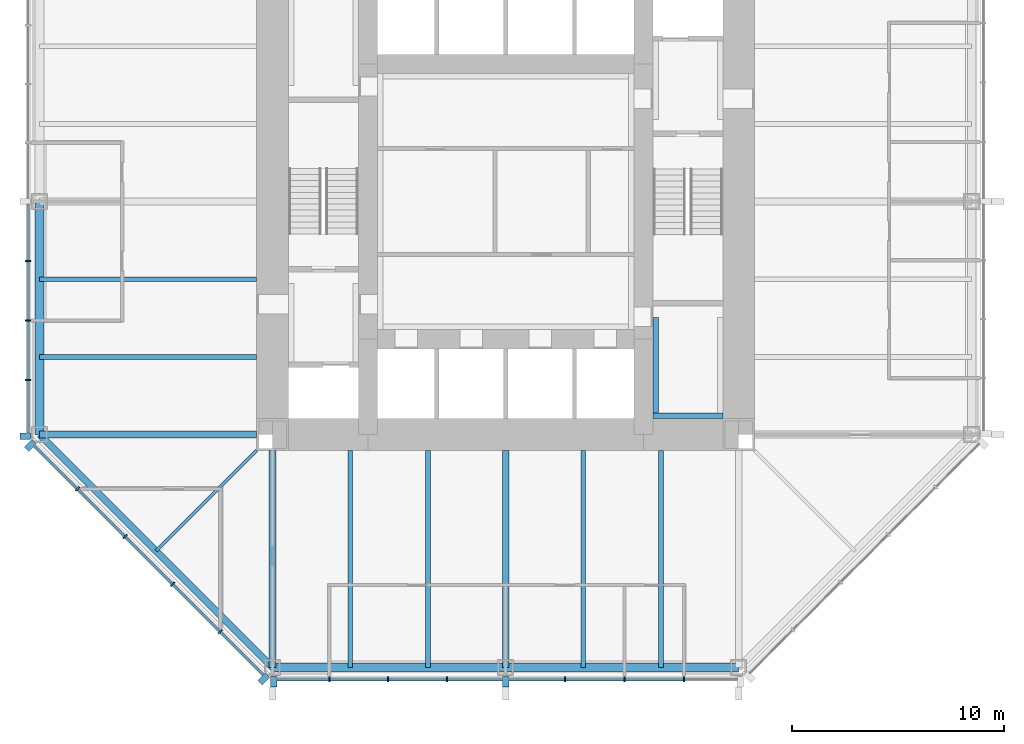
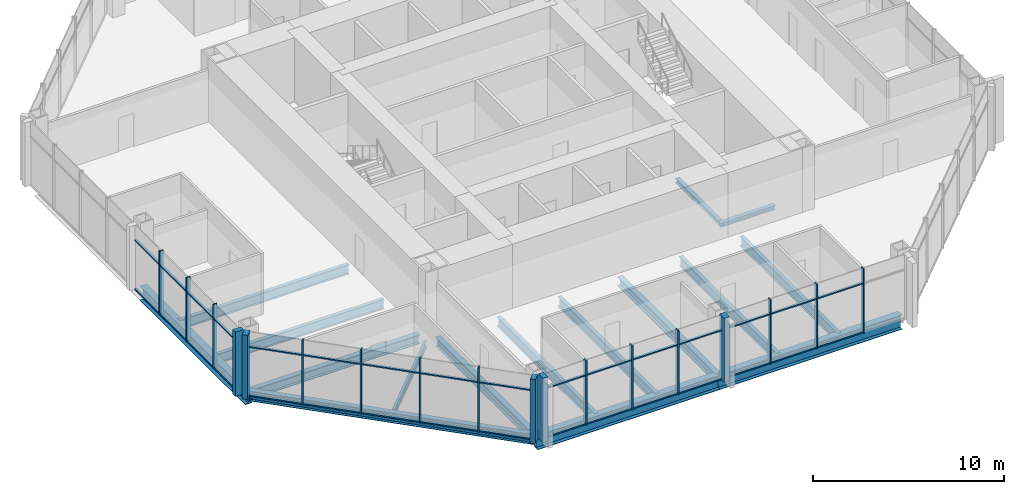
# One storey, part 2 of 12: 50 members, 16 beams, 3 elements without a shape of their own.
"""IFC4 building model written with IfcOpenShell, lengths in metres."""

from ifc_helpers import new_model, si_unit, direction, frame, origin, origin_2d, place, context, subcontext, project, spatial, rectangle, i_section, extrude, material, material_profile, profile_set, type_object, element, aggregate, save


model = new_model("IFC4")

# Units and contexts
model_context = context("Model", 3, precision=1e-05, world=origin(), true_north=direction((0.0, 1.0)))
body_context = subcontext(model_context, "Body", "Model", "MODEL_VIEW")
ifc_project = project(units=[si_unit("LENGTHUNIT", "METRE"), si_unit("AREAUNIT", "SQUARE_METRE"), si_unit("VOLUMEUNIT", "CUBIC_METRE"), si_unit("PLANEANGLEUNIT", "RADIAN"), si_unit("MASSUNIT", "GRAM", prefix="KILO")], contexts=[model_context])

# Site, building, storey
site_placement = place(None, origin())
site = spatial("IfcSite", under=ifc_project, at=site_placement, CompositionType="ELEMENT")
building_placement = place(site_placement, origin())
building = spatial("IfcBuilding", under=site, at=building_placement, Name="Trevanion Tower", CompositionType="ELEMENT")
storey_placement = place(building_placement, frame((0.0, 0.0, 150.0)))
storey = spatial("IfcBuildingStorey", under=building, at=storey_placement, Name="L35", CompositionType="ELEMENT", Elevation=150.0)

# Beams
ifc_material_1 = material(Name="Steel ASTM A992 Grade 50", Category="steel")
ifc_material_profile_1 = material_profile(ifc_material_1, i_section(OverallWidth=0.22900390625, OverallDepth=0.612060546875, WebThickness=0.011962890625, FlangeThickness=0.01953125, at=origin_2d()), Name="W24X84")
ifc_profile_set_1 = profile_set([ifc_material_profile_1], Name="Steel ASTM A992 Grade 50")
beam_type_1 = type_object("IfcBeamType", Name="B7 W24X84", PredefinedType="BEAM", material=ifc_profile_set_1)
for number, where, z_axis, x_axis, name in (
    (1, (-11.75, -3.666748046875, -0.49609375), (-1.0, 0.0, 0.0), (0.0, -1.0, 0.0), "B7 L35"),
    (2, (-11.75, -7.333251953125, -0.49609375), (-1.0, 0.0, 0.0), (0.0, -1.0, 0.0), "B7 L35"),
    (3, (-7.333251953125, -11.75, -0.49609375), (0.0, -1.0, 0.0), (1.0, 0.0, 0.0), "B7 L35"),
    (4, (-3.666748046875, -11.75, -0.49609375), (0.0, -1.0, 0.0), (1.0, 0.0, 0.0), "B7 L35"),
    (5, (3.666748046875, -11.75, -0.49609375), (0.0, -1.0, 0.0), (1.0, 0.0, 0.0), "B7 L35"),
    (6, (7.333251953125, -11.75, -0.49609375), (0.0, -1.0, 0.0), (1.0, 0.0, 0.0), "B7 L35"),
):
    element("IfcBeam", number, at=place(storey_placement, frame(where, z_axis=z_axis, x_axis=x_axis)), inside=storey, type_object=beam_type_1, Name=name, PredefinedType="BEAM", context=body_context, shape_type="SweptSolid", body=[
        extrude(i_section(OverallWidth=0.22900390625, OverallDepth=0.612060546875, WebThickness=0.011962890625, FlangeThickness=0.01953125, at=origin_2d()), origin(), (0.0, 0.0, 1.0), 10.25),
    ])
ifc_material_2 = material(Name="Steel ASTM A992 Grade 50", Category="steel")
ifc_material_profile_2 = material_profile(ifc_material_2, i_section(OverallWidth=0.15234375, OverallDepth=0.449462890625, WebThickness=0.007568359375, FlangeThickness=0.0107421875, at=origin_2d()), Name="W18X35")
ifc_profile_set_2 = profile_set([ifc_material_profile_2], Name="Steel ASTM A992 Grade 50")
beam_type_2 = type_object("IfcBeamType", Name="B8 W18X35", PredefinedType="BEAM", material=ifc_profile_set_2)
beam_1_placement = place(storey_placement, frame((-11.75, -11.75, -0.414794921875), z_axis=(-0.707106781187, -0.707106781187, 0.0), x_axis=(0.707106781187, -0.707106781187, 0.0)))
element("IfcBeam", 7, at=beam_1_placement, inside=storey, type_object=beam_type_2, Name="B8 L35", PredefinedType="BEAM", context=body_context, shape_type="SweptSolid", body=[
    extrude(i_section(OverallWidth=0.15234375, OverallDepth=0.449462890625, WebThickness=0.007568359375, FlangeThickness=0.0107421875, at=origin_2d()), origin(), (0.0, 0.0, 1.0), 6.717529296875),
])

# Curtain wall, members
ifc_material_3 = material(Name="Aluminium and glass", Category="aluminium")
curtain_wall_type = type_object("IfcCurtainWallType", Name="CW2 curtain wall", PredefinedType="USERDEFINED", material=ifc_material_3)
curtain_wall_1_placement = place(storey_placement, origin())
curtain_wall_1 = element("IfcCurtainWall", 8, at=curtain_wall_1_placement, inside=storey, type_object=curtain_wall_type, Name="CW2 L35 4", ObjectType="UNITISED CURTAIN WALL", PredefinedType="USERDEFINED")
ifc_material_4 = material(Name="Aluminium extrusion, anodised bronze", Category="aluminium")
ifc_material_profile_3 = material_profile(ifc_material_4, rectangle(XDim=0.074951171875, YDim=0.25, at=origin_2d()), Name="CW2 mullion")
ifc_profile_set_3 = profile_set([ifc_material_profile_3], Name="Aluminium extrusion, anodised bronze")
member_type_1 = type_object("IfcMemberType", Name="CW2 mullion", PredefinedType="MULLION", material=ifc_profile_set_3)
member_1_placement = place(storey_placement, frame((-22.550048828125, -2.806884765625, -0.18994140625), z_axis=(0.0, 0.0, 1.0), x_axis=(0.0, -1.0, 0.0)))
member_1 = element("IfcMember", 9, at=member_1_placement, type_object=member_type_1, Name="CW2 mullion 6", PredefinedType="MULLION", context=body_context, shape_type="SweptSolid", body=[
    extrude(rectangle(XDim=0.074951171875, YDim=0.25, at=origin_2d()), origin(), (0.0, 0.0, 1.0), 4.099853515625),
])
member_2_placement = place(storey_placement, frame((-22.550048828125, -5.614013671875, -0.18994140625), z_axis=(0.0, 0.0, 1.0), x_axis=(0.0, -1.0, 0.0)))
member_2 = element("IfcMember", 10, at=member_2_placement, type_object=member_type_1, Name="CW2 mullion 7", PredefinedType="MULLION", context=body_context, shape_type="SweptSolid", body=[
    extrude(rectangle(XDim=0.074951171875, YDim=0.25, at=origin_2d()), origin(), (0.0, 0.0, 1.0), 4.099853515625),
])
member_3_placement = place(storey_placement, frame((-22.550048828125, -8.4208984375, -0.18994140625), z_axis=(0.0, 0.0, 1.0), x_axis=(0.0, -1.0, 0.0)))
member_3 = element("IfcMember", 11, at=member_3_placement, type_object=member_type_1, Name="CW2 mullion 8", PredefinedType="MULLION", context=body_context, shape_type="SweptSolid", body=[
    extrude(rectangle(XDim=0.074951171875, YDim=0.25, at=origin_2d()), origin(), (0.0, 0.0, 1.0), 4.099853515625),
])

curtain_wall_2_placement = place(storey_placement, origin())
curtain_wall_2 = element("IfcCurtainWall", 12, at=curtain_wall_2_placement, inside=storey, type_object=curtain_wall_type, Name="CW2 L35 5", ObjectType="UNITISED CURTAIN WALL", PredefinedType="USERDEFINED")
member_4_placement = place(storey_placement, frame((-20.2119140625, -13.56591796875, -0.18994140625), z_axis=(0.0, 0.0, 1.0), x_axis=(0.707106781187, -0.707106781187, 0.0)))
member_4 = element("IfcMember", 13, at=member_4_placement, type_object=member_type_1, Name="CW2 mullion 2", PredefinedType="MULLION", context=body_context, shape_type="SweptSolid", body=[
    extrude(rectangle(XDim=0.074951171875, YDim=0.25, at=origin_2d()), origin(), (0.0, 0.0, 1.0), 4.099853515625),
])
member_5_placement = place(storey_placement, frame((-17.966064453125, -15.811767578125, -0.18994140625), z_axis=(0.0, 0.0, 1.0), x_axis=(0.707106781187, -0.707106781187, 0.0)))
member_5 = element("IfcMember", 14, at=member_5_placement, type_object=member_type_1, Name="CW2 mullion 3", PredefinedType="MULLION", context=body_context, shape_type="SweptSolid", body=[
    extrude(rectangle(XDim=0.074951171875, YDim=0.25, at=origin_2d()), origin(), (0.0, 0.0, 1.0), 4.099853515625),
])
member_6_placement = place(storey_placement, frame((-15.719970703125, -18.057861328125, -0.18994140625), z_axis=(0.0, 0.0, 1.0), x_axis=(0.707106781187, -0.707106781187, 0.0)))
member_6 = element("IfcMember", 15, at=member_6_placement, type_object=member_type_1, Name="CW2 mullion 4", PredefinedType="MULLION", context=body_context, shape_type="SweptSolid", body=[
    extrude(rectangle(XDim=0.074951171875, YDim=0.25, at=origin_2d()), origin(), (0.0, 0.0, 1.0), 4.099853515625),
])
member_7_placement = place(storey_placement, frame((-13.473876953125, -20.303955078125, -0.18994140625), z_axis=(0.0, 0.0, 1.0), x_axis=(0.707106781187, -0.707106781187, 0.0)))
member_7 = element("IfcMember", 16, at=member_7_placement, type_object=member_type_1, Name="CW2 mullion 5", PredefinedType="MULLION", context=body_context, shape_type="SweptSolid", body=[
    extrude(rectangle(XDim=0.074951171875, YDim=0.25, at=origin_2d()), origin(), (0.0, 0.0, 1.0), 4.099853515625),
])

curtain_wall_3_placement = place(storey_placement, origin())
curtain_wall_3 = element("IfcCurtainWall", 17, at=curtain_wall_3_placement, inside=storey, type_object=curtain_wall_type, Name="CW2 L35 6", ObjectType="UNITISED CURTAIN WALL", PredefinedType="USERDEFINED")
member_8_placement = place(storey_placement, frame((-8.323486328125, -22.550048828125, -0.18994140625), z_axis=(0.0, 0.0, 1.0), x_axis=(1.0, 0.0, 0.0)))
member_8 = element("IfcMember", 18, at=member_8_placement, type_object=member_type_1, Name="CW2 mullion 2", PredefinedType="MULLION", context=body_context, shape_type="SweptSolid", body=[
    extrude(rectangle(XDim=0.074951171875, YDim=0.25, at=origin_2d()), origin(), (0.0, 0.0, 1.0), 4.099853515625),
])
member_9_placement = place(storey_placement, frame((-5.548828125, -22.550048828125, -0.18994140625), z_axis=(0.0, 0.0, 1.0), x_axis=(1.0, 0.0, 0.0)))
member_9 = element("IfcMember", 19, at=member_9_placement, type_object=member_type_1, Name="CW2 mullion 3", PredefinedType="MULLION", context=body_context, shape_type="SweptSolid", body=[
    extrude(rectangle(XDim=0.074951171875, YDim=0.25, at=origin_2d()), origin(), (0.0, 0.0, 1.0), 4.099853515625),
])
member_10_placement = place(storey_placement, frame((-2.7744140625, -22.550048828125, -0.18994140625), z_axis=(0.0, 0.0, 1.0), x_axis=(1.0, 0.0, 0.0)))
member_10 = element("IfcMember", 20, at=member_10_placement, type_object=member_type_1, Name="CW2 mullion 4", PredefinedType="MULLION", context=body_context, shape_type="SweptSolid", body=[
    extrude(rectangle(XDim=0.074951171875, YDim=0.25, at=origin_2d()), origin(), (0.0, 0.0, 1.0), 4.099853515625),
])
member_11_placement = place(storey_placement, frame((2.806884765625, -22.550048828125, -0.18994140625), z_axis=(0.0, 0.0, 1.0), x_axis=(1.0, 0.0, 0.0)))
member_11 = element("IfcMember", 21, at=member_11_placement, type_object=member_type_1, Name="CW2 mullion 6", PredefinedType="MULLION", context=body_context, shape_type="SweptSolid", body=[
    extrude(rectangle(XDim=0.074951171875, YDim=0.25, at=origin_2d()), origin(), (0.0, 0.0, 1.0), 4.099853515625),
])
member_12_placement = place(storey_placement, frame((5.614013671875, -22.550048828125, -0.18994140625), z_axis=(0.0, 0.0, 1.0), x_axis=(1.0, 0.0, 0.0)))
member_12 = element("IfcMember", 22, at=member_12_placement, type_object=member_type_1, Name="CW2 mullion 7", PredefinedType="MULLION", context=body_context, shape_type="SweptSolid", body=[
    extrude(rectangle(XDim=0.074951171875, YDim=0.25, at=origin_2d()), origin(), (0.0, 0.0, 1.0), 4.099853515625),
])
member_13_placement = place(storey_placement, frame((8.4208984375, -22.550048828125, -0.18994140625), z_axis=(0.0, 0.0, 1.0), x_axis=(1.0, 0.0, 0.0)))
member_13 = element("IfcMember", 23, at=member_13_placement, type_object=member_type_1, Name="CW2 mullion 8", PredefinedType="MULLION", context=body_context, shape_type="SweptSolid", body=[
    extrude(rectangle(XDim=0.074951171875, YDim=0.25, at=origin_2d()), origin(), (0.0, 0.0, 1.0), 4.099853515625),
])

# Member
ifc_material_5 = material(Name="Aluminium extrusion, anodised bronze", Category="aluminium")
ifc_material_profile_4 = material_profile(ifc_material_5, rectangle(XDim=0.300048828125, YDim=0.5, at=origin_2d()), Name="CW2 pier mullion")
ifc_profile_set_4 = profile_set([ifc_material_profile_4], Name="Aluminium extrusion, anodised bronze")
member_type_2 = type_object("IfcMemberType", Name="CW2 pier mullion", PredefinedType="MULLION", material=ifc_profile_set_4)
member_14_placement = place(storey_placement, frame((-22.675048828125, -11.077880859375, -0.18994140625), z_axis=(0.0, 0.0, 1.0), x_axis=(0.0, -1.0, 0.0)))
member_14 = element("IfcMember", 24, at=member_14_placement, type_object=member_type_2, Name="CW2 pier mullion 9", PredefinedType="MULLION", context=body_context, shape_type="SweptSolid", body=[
    extrude(rectangle(XDim=0.300048828125, YDim=0.5, at=origin_2d()), origin(), (0.0, 0.0, 1.0), 4.099853515625),
])

member_15_placement = place(storey_placement, frame((-22.4404296875, -11.51416015625, -0.18994140625), z_axis=(0.0, 0.0, 1.0), x_axis=(0.707106781187, -0.707106781187, 0.0)))
member_15 = element("IfcMember", 25, at=member_15_placement, type_object=member_type_2, Name="CW2 pier mullion 1", PredefinedType="MULLION", context=body_context, shape_type="SweptSolid", body=[
    extrude(rectangle(XDim=0.300048828125, YDim=0.5, at=origin_2d()), origin(), (0.0, 0.0, 1.0), 4.099853515625),
])

member_16_placement = place(storey_placement, frame((-11.42236328125, -22.5322265625, -0.18994140625), z_axis=(0.0, 0.0, 1.0), x_axis=(0.707106781187, -0.707106781187, 0.0)))
member_16 = element("IfcMember", 26, at=member_16_placement, type_object=member_type_2, Name="CW2 pier mullion 6", PredefinedType="MULLION", context=body_context, shape_type="SweptSolid", body=[
    extrude(rectangle(XDim=0.300048828125, YDim=0.5, at=origin_2d()), origin(), (0.0, 0.0, 1.0), 4.099853515625),
])

member_17_placement = place(storey_placement, frame((-10.94775390625, -22.675048828125, -0.18994140625), z_axis=(0.0, 0.0, 1.0), x_axis=(1.0, 0.0, 0.0)))
member_17 = element("IfcMember", 27, at=member_17_placement, type_object=member_type_2, Name="CW2 pier mullion 1", PredefinedType="MULLION", context=body_context, shape_type="SweptSolid", body=[
    extrude(rectangle(XDim=0.300048828125, YDim=0.5, at=origin_2d()), origin(), (0.0, 0.0, 1.0), 4.099853515625),
])

member_18_placement = place(storey_placement, frame((0.0, -22.675048828125, -0.18994140625), z_axis=(0.0, 0.0, 1.0), x_axis=(1.0, 0.0, 0.0)))
member_18 = element("IfcMember", 28, at=member_18_placement, type_object=member_type_2, Name="CW2 pier mullion 5", PredefinedType="MULLION", context=body_context, shape_type="SweptSolid", body=[
    extrude(rectangle(XDim=0.300048828125, YDim=0.5, at=origin_2d()), origin(), (0.0, 0.0, 1.0), 4.099853515625),
])

ifc_material_6 = material(Name="Aluminium extrusion, anodised bronze", Category="aluminium")
ifc_material_profile_5 = material_profile(ifc_material_6, rectangle(XDim=0.14990234375, YDim=0.074951171875, at=origin_2d()), Name="CW2 transom")
ifc_profile_set_5 = profile_set([ifc_material_profile_5], Name="Aluminium extrusion, anodised bronze")
member_type_3 = type_object("IfcMemberType", Name="CW2 transom", PredefinedType="USERDEFINED", material=ifc_profile_set_5)
member_19_placement = place(storey_placement, frame((-22.550048828125, -0.14990234375, -0.152587890625), z_axis=(0.0, -1.0, 0.0), x_axis=(1.0, 0.0, 0.0)))
member_19 = element("IfcMember", 29, at=member_19_placement, type_object=member_type_3, Name="CW2 transom 5.1", ObjectType="TRANSOM", PredefinedType="USERDEFINED", context=body_context, shape_type="SweptSolid", body=[
    extrude(rectangle(XDim=0.14990234375, YDim=0.074951171875, at=origin_2d()), origin(), (0.0, 0.0, 1.0), 2.619384765625),
])

member_20_placement = place(storey_placement, frame((-22.550048828125, -0.14990234375, 2.9599609375), z_axis=(0.0, -1.0, 0.0), x_axis=(1.0, 0.0, 0.0)))
member_20 = element("IfcMember", 30, at=member_20_placement, type_object=member_type_3, Name="CW2 transom 5.2", ObjectType="TRANSOM", PredefinedType="USERDEFINED", context=body_context, shape_type="SweptSolid", body=[
    extrude(rectangle(XDim=0.14990234375, YDim=0.074951171875, at=origin_2d()), origin(), (0.0, 0.0, 1.0), 2.619384765625),
])

member_21_placement = place(storey_placement, frame((-22.550048828125, -2.844482421875, -0.152587890625), z_axis=(0.0, -1.0, 0.0), x_axis=(1.0, 0.0, 0.0)))
member_21 = element("IfcMember", 31, at=member_21_placement, type_object=member_type_3, Name="CW2 transom 6.1", ObjectType="TRANSOM", PredefinedType="USERDEFINED", context=body_context, shape_type="SweptSolid", body=[
    extrude(rectangle(XDim=0.14990234375, YDim=0.074951171875, at=origin_2d()), origin(), (0.0, 0.0, 1.0), 2.73193359375),
])

member_22_placement = place(storey_placement, frame((-22.550048828125, -2.844482421875, 2.9599609375), z_axis=(0.0, -1.0, 0.0), x_axis=(1.0, 0.0, 0.0)))
member_22 = element("IfcMember", 32, at=member_22_placement, type_object=member_type_3, Name="CW2 transom 6.2", ObjectType="TRANSOM", PredefinedType="USERDEFINED", context=body_context, shape_type="SweptSolid", body=[
    extrude(rectangle(XDim=0.14990234375, YDim=0.074951171875, at=origin_2d()), origin(), (0.0, 0.0, 1.0), 2.73193359375),
])

member_23_placement = place(storey_placement, frame((-22.550048828125, -5.6513671875, -0.152587890625), z_axis=(0.0, -1.0, 0.0), x_axis=(1.0, 0.0, 0.0)))
member_23 = element("IfcMember", 33, at=member_23_placement, type_object=member_type_3, Name="CW2 transom 7.1", ObjectType="TRANSOM", PredefinedType="USERDEFINED", context=body_context, shape_type="SweptSolid", body=[
    extrude(rectangle(XDim=0.14990234375, YDim=0.074951171875, at=origin_2d()), origin(), (0.0, 0.0, 1.0), 2.73193359375),
])

member_24_placement = place(storey_placement, frame((-22.550048828125, -5.6513671875, 2.9599609375), z_axis=(0.0, -1.0, 0.0), x_axis=(1.0, 0.0, 0.0)))
member_24 = element("IfcMember", 34, at=member_24_placement, type_object=member_type_3, Name="CW2 transom 7.2", ObjectType="TRANSOM", PredefinedType="USERDEFINED", context=body_context, shape_type="SweptSolid", body=[
    extrude(rectangle(XDim=0.14990234375, YDim=0.074951171875, at=origin_2d()), origin(), (0.0, 0.0, 1.0), 2.73193359375),
])

member_25_placement = place(storey_placement, frame((-22.550048828125, -8.45849609375, -0.152587890625), z_axis=(0.0, -1.0, 0.0), x_axis=(1.0, 0.0, 0.0)))
member_25 = element("IfcMember", 35, at=member_25_placement, type_object=member_type_3, Name="CW2 transom 8.1", ObjectType="TRANSOM", PredefinedType="USERDEFINED", context=body_context, shape_type="SweptSolid", body=[
    extrude(rectangle(XDim=0.14990234375, YDim=0.074951171875, at=origin_2d()), origin(), (0.0, 0.0, 1.0), 2.46923828125),
])

member_26_placement = place(storey_placement, frame((-22.550048828125, -8.45849609375, 2.9599609375), z_axis=(0.0, -1.0, 0.0), x_axis=(1.0, 0.0, 0.0)))
member_26 = element("IfcMember", 36, at=member_26_placement, type_object=member_type_3, Name="CW2 transom 8.2", ObjectType="TRANSOM", PredefinedType="USERDEFINED", context=body_context, shape_type="SweptSolid", body=[
    extrude(rectangle(XDim=0.14990234375, YDim=0.074951171875, at=origin_2d()), origin(), (0.0, 0.0, 1.0), 2.46923828125),
])

aggregate(curtain_wall_1, [member_1, member_2, member_3, member_14, member_19, member_20, member_21, member_22, member_23, member_24, member_25, member_26])

member_27_placement = place(storey_placement, frame((-22.245849609375, -11.531982421875, -0.152587890625), z_axis=(0.707106781187, -0.707106781187, 0.0), x_axis=(0.707106781187, 0.707106781187, 0.0)))
member_27 = element("IfcMember", 37, at=member_27_placement, type_object=member_type_3, Name="CW2 transom 1.1", ObjectType="TRANSOM", PredefinedType="USERDEFINED", context=body_context, shape_type="SweptSolid", body=[
    extrude(rectangle(XDim=0.14990234375, YDim=0.074951171875, at=origin_2d()), origin(), (0.0, 0.0, 1.0), 2.8388671875),
])

member_28_placement = place(storey_placement, frame((-22.245849609375, -11.531982421875, 2.9599609375), z_axis=(0.707106781187, -0.707106781187, 0.0), x_axis=(0.707106781187, 0.707106781187, 0.0)))
member_28 = element("IfcMember", 38, at=member_28_placement, type_object=member_type_3, Name="CW2 transom 1.2", ObjectType="TRANSOM", PredefinedType="USERDEFINED", context=body_context, shape_type="SweptSolid", body=[
    extrude(rectangle(XDim=0.14990234375, YDim=0.074951171875, at=origin_2d()), origin(), (0.0, 0.0, 1.0), 2.8388671875),
])

member_29_placement = place(storey_placement, frame((-20.185546875, -13.59228515625, -0.152587890625), z_axis=(0.707106781187, -0.707106781187, 0.0), x_axis=(0.707106781187, 0.707106781187, 0.0)))
member_29 = element("IfcMember", 39, at=member_29_placement, type_object=member_type_3, Name="CW2 transom 2.1", ObjectType="TRANSOM", PredefinedType="USERDEFINED", context=body_context, shape_type="SweptSolid", body=[
    extrude(rectangle(XDim=0.14990234375, YDim=0.074951171875, at=origin_2d()), origin(), (0.0, 0.0, 1.0), 3.1015625),
])

member_30_placement = place(storey_placement, frame((-20.185546875, -13.59228515625, 2.9599609375), z_axis=(0.707106781187, -0.707106781187, 0.0), x_axis=(0.707106781187, 0.707106781187, 0.0)))
member_30 = element("IfcMember", 40, at=member_30_placement, type_object=member_type_3, Name="CW2 transom 2.2", ObjectType="TRANSOM", PredefinedType="USERDEFINED", context=body_context, shape_type="SweptSolid", body=[
    extrude(rectangle(XDim=0.14990234375, YDim=0.074951171875, at=origin_2d()), origin(), (0.0, 0.0, 1.0), 3.1015625),
])

member_31_placement = place(storey_placement, frame((-17.939453125, -15.83837890625, -0.152587890625), z_axis=(0.707106781187, -0.707106781187, 0.0), x_axis=(0.707106781187, 0.707106781187, 0.0)))
member_31 = element("IfcMember", 41, at=member_31_placement, type_object=member_type_3, Name="CW2 transom 3.1", ObjectType="TRANSOM", PredefinedType="USERDEFINED", context=body_context, shape_type="SweptSolid", body=[
    extrude(rectangle(XDim=0.14990234375, YDim=0.074951171875, at=origin_2d()), origin(), (0.0, 0.0, 1.0), 3.1015625),
])

member_32_placement = place(storey_placement, frame((-17.939453125, -15.83837890625, 2.9599609375), z_axis=(0.707106781187, -0.707106781187, 0.0), x_axis=(0.707106781187, 0.707106781187, 0.0)))
member_32 = element("IfcMember", 42, at=member_32_placement, type_object=member_type_3, Name="CW2 transom 3.2", ObjectType="TRANSOM", PredefinedType="USERDEFINED", context=body_context, shape_type="SweptSolid", body=[
    extrude(rectangle(XDim=0.14990234375, YDim=0.074951171875, at=origin_2d()), origin(), (0.0, 0.0, 1.0), 3.1015625),
])

member_33_placement = place(storey_placement, frame((-15.693359375, -18.08447265625, -0.152587890625), z_axis=(0.707106781187, -0.707106781187, 0.0), x_axis=(0.707106781187, 0.707106781187, 0.0)))
member_33 = element("IfcMember", 43, at=member_33_placement, type_object=member_type_3, Name="CW2 transom 4.1", ObjectType="TRANSOM", PredefinedType="USERDEFINED", context=body_context, shape_type="SweptSolid", body=[
    extrude(rectangle(XDim=0.14990234375, YDim=0.074951171875, at=origin_2d()), origin(), (0.0, 0.0, 1.0), 3.10107421875),
])

member_34_placement = place(storey_placement, frame((-15.693359375, -18.08447265625, 2.9599609375), z_axis=(0.707106781187, -0.707106781187, 0.0), x_axis=(0.707106781187, 0.707106781187, 0.0)))
member_34 = element("IfcMember", 44, at=member_34_placement, type_object=member_type_3, Name="CW2 transom 4.2", ObjectType="TRANSOM", PredefinedType="USERDEFINED", context=body_context, shape_type="SweptSolid", body=[
    extrude(rectangle(XDim=0.14990234375, YDim=0.074951171875, at=origin_2d()), origin(), (0.0, 0.0, 1.0), 3.10107421875),
])

member_35_placement = place(storey_placement, frame((-13.447509765625, -20.33056640625, -0.152587890625), z_axis=(0.707149778163, -0.707063781595, 0.0), x_axis=(0.707063781595, 0.707149778163, 0.0)))
member_35 = element("IfcMember", 45, at=member_35_placement, type_object=member_type_3, Name="CW2 transom 5.1", ObjectType="TRANSOM", PredefinedType="USERDEFINED", context=body_context, shape_type="SweptSolid", body=[
    extrude(rectangle(XDim=0.14990234375, YDim=0.074951171875, at=origin_2d()), origin(), (0.0, 0.0, 1.0), 2.8388671875),
])

member_36_placement = place(storey_placement, frame((-13.447509765625, -20.33056640625, 2.9599609375), z_axis=(0.707149778163, -0.707063781595, 0.0), x_axis=(0.707063781595, 0.707149778163, 0.0)))
member_36 = element("IfcMember", 46, at=member_36_placement, type_object=member_type_3, Name="CW2 transom 5.2", ObjectType="TRANSOM", PredefinedType="USERDEFINED", context=body_context, shape_type="SweptSolid", body=[
    extrude(rectangle(XDim=0.14990234375, YDim=0.074951171875, at=origin_2d()), origin(), (0.0, 0.0, 1.0), 2.8388671875),
])

aggregate(curtain_wall_2, [member_15, member_4, member_5, member_6, member_7, member_16, member_27, member_28, member_29, member_30, member_31, member_32, member_33, member_34, member_35, member_36])

member_37_placement = place(storey_placement, frame((-10.7978515625, -22.550048828125, -0.152587890625), z_axis=(1.0, 0.0, 0.0), x_axis=(0.0, 1.0, 0.0)))
member_37 = element("IfcMember", 47, at=member_37_placement, type_object=member_type_3, Name="CW2 transom 1.1", ObjectType="TRANSOM", PredefinedType="USERDEFINED", context=body_context, shape_type="SweptSolid", body=[
    extrude(rectangle(XDim=0.14990234375, YDim=0.074951171875, at=origin_2d()), origin(), (0.0, 0.0, 1.0), 2.43701171875),
])

member_38_placement = place(storey_placement, frame((-10.7978515625, -22.550048828125, 2.9599609375), z_axis=(1.0, 0.0, 0.0), x_axis=(0.0, 1.0, 0.0)))
member_38 = element("IfcMember", 48, at=member_38_placement, type_object=member_type_3, Name="CW2 transom 1.2", ObjectType="TRANSOM", PredefinedType="USERDEFINED", context=body_context, shape_type="SweptSolid", body=[
    extrude(rectangle(XDim=0.14990234375, YDim=0.074951171875, at=origin_2d()), origin(), (0.0, 0.0, 1.0), 2.43701171875),
])

member_39_placement = place(storey_placement, frame((-8.285888671875, -22.550048828125, -0.152587890625), z_axis=(1.0, 0.0, 0.0), x_axis=(0.0, 1.0, 0.0)))
member_39 = element("IfcMember", 49, at=member_39_placement, type_object=member_type_3, Name="CW2 transom 2.1", ObjectType="TRANSOM", PredefinedType="USERDEFINED", context=body_context, shape_type="SweptSolid", body=[
    extrude(rectangle(XDim=0.14990234375, YDim=0.074951171875, at=origin_2d()), origin(), (0.0, 0.0, 1.0), 2.699462890625),
])

member_40_placement = place(storey_placement, frame((-8.285888671875, -22.550048828125, 2.9599609375), z_axis=(1.0, 0.0, 0.0), x_axis=(0.0, 1.0, 0.0)))
member_40 = element("IfcMember", 50, at=member_40_placement, type_object=member_type_3, Name="CW2 transom 2.2", ObjectType="TRANSOM", PredefinedType="USERDEFINED", context=body_context, shape_type="SweptSolid", body=[
    extrude(rectangle(XDim=0.14990234375, YDim=0.074951171875, at=origin_2d()), origin(), (0.0, 0.0, 1.0), 2.699462890625),
])

member_41_placement = place(storey_placement, frame((-5.511474609375, -22.550048828125, -0.152587890625), z_axis=(1.0, 0.0, 0.0), x_axis=(0.0, 1.0, 0.0)))
member_41 = element("IfcMember", 51, at=member_41_placement, type_object=member_type_3, Name="CW2 transom 3.1", ObjectType="TRANSOM", PredefinedType="USERDEFINED", context=body_context, shape_type="SweptSolid", body=[
    extrude(rectangle(XDim=0.14990234375, YDim=0.074951171875, at=origin_2d()), origin(), (0.0, 0.0, 1.0), 2.699462890625),
])

member_42_placement = place(storey_placement, frame((-5.511474609375, -22.550048828125, 2.9599609375), z_axis=(1.0, 0.0, 0.0), x_axis=(0.0, 1.0, 0.0)))
member_42 = element("IfcMember", 52, at=member_42_placement, type_object=member_type_3, Name="CW2 transom 3.2", ObjectType="TRANSOM", PredefinedType="USERDEFINED", context=body_context, shape_type="SweptSolid", body=[
    extrude(rectangle(XDim=0.14990234375, YDim=0.074951171875, at=origin_2d()), origin(), (0.0, 0.0, 1.0), 2.699462890625),
])

member_43_placement = place(storey_placement, frame((-2.737060546875, -22.550048828125, -0.152587890625), z_axis=(1.0, 0.0, 0.0), x_axis=(0.0, 1.0, 0.0)))
member_43 = element("IfcMember", 53, at=member_43_placement, type_object=member_type_3, Name="CW2 transom 4.1", ObjectType="TRANSOM", PredefinedType="USERDEFINED", context=body_context, shape_type="SweptSolid", body=[
    extrude(rectangle(XDim=0.14990234375, YDim=0.074951171875, at=origin_2d()), origin(), (0.0, 0.0, 1.0), 2.587158203125),
])

member_44_placement = place(storey_placement, frame((-2.737060546875, -22.550048828125, 2.9599609375), z_axis=(1.0, 0.0, 0.0), x_axis=(0.0, 1.0, 0.0)))
member_44 = element("IfcMember", 54, at=member_44_placement, type_object=member_type_3, Name="CW2 transom 4.2", ObjectType="TRANSOM", PredefinedType="USERDEFINED", context=body_context, shape_type="SweptSolid", body=[
    extrude(rectangle(XDim=0.14990234375, YDim=0.074951171875, at=origin_2d()), origin(), (0.0, 0.0, 1.0), 2.587158203125),
])

member_45_placement = place(storey_placement, frame((0.14990234375, -22.550048828125, -0.152587890625), z_axis=(1.0, 0.0, 0.0), x_axis=(0.0, 1.0, 0.0)))
member_45 = element("IfcMember", 55, at=member_45_placement, type_object=member_type_3, Name="CW2 transom 5.1", ObjectType="TRANSOM", PredefinedType="USERDEFINED", context=body_context, shape_type="SweptSolid", body=[
    extrude(rectangle(XDim=0.14990234375, YDim=0.074951171875, at=origin_2d()), origin(), (0.0, 0.0, 1.0), 2.619384765625),
])

member_46_placement = place(storey_placement, frame((0.14990234375, -22.550048828125, 2.9599609375), z_axis=(1.0, 0.0, 0.0), x_axis=(0.0, 1.0, 0.0)))
member_46 = element("IfcMember", 56, at=member_46_placement, type_object=member_type_3, Name="CW2 transom 5.2", ObjectType="TRANSOM", PredefinedType="USERDEFINED", context=body_context, shape_type="SweptSolid", body=[
    extrude(rectangle(XDim=0.14990234375, YDim=0.074951171875, at=origin_2d()), origin(), (0.0, 0.0, 1.0), 2.619384765625),
])

member_47_placement = place(storey_placement, frame((2.844482421875, -22.550048828125, -0.152587890625), z_axis=(1.0, 0.0, 0.0), x_axis=(0.0, 1.0, 0.0)))
member_47 = element("IfcMember", 57, at=member_47_placement, type_object=member_type_3, Name="CW2 transom 6.1", ObjectType="TRANSOM", PredefinedType="USERDEFINED", context=body_context, shape_type="SweptSolid", body=[
    extrude(rectangle(XDim=0.14990234375, YDim=0.074951171875, at=origin_2d()), origin(), (0.0, 0.0, 1.0), 2.73193359375),
])

member_48_placement = place(storey_placement, frame((2.844482421875, -22.550048828125, 2.9599609375), z_axis=(1.0, 0.0, 0.0), x_axis=(0.0, 1.0, 0.0)))
member_48 = element("IfcMember", 58, at=member_48_placement, type_object=member_type_3, Name="CW2 transom 6.2", ObjectType="TRANSOM", PredefinedType="USERDEFINED", context=body_context, shape_type="SweptSolid", body=[
    extrude(rectangle(XDim=0.14990234375, YDim=0.074951171875, at=origin_2d()), origin(), (0.0, 0.0, 1.0), 2.73193359375),
])

member_49_placement = place(storey_placement, frame((5.6513671875, -22.550048828125, -0.152587890625), z_axis=(1.0, 0.0, 0.0), x_axis=(0.0, 1.0, 0.0)))
member_49 = element("IfcMember", 59, at=member_49_placement, type_object=member_type_3, Name="CW2 transom 7.1", ObjectType="TRANSOM", PredefinedType="USERDEFINED", context=body_context, shape_type="SweptSolid", body=[
    extrude(rectangle(XDim=0.14990234375, YDim=0.074951171875, at=origin_2d()), origin(), (0.0, 0.0, 1.0), 2.73193359375),
])

member_50_placement = place(storey_placement, frame((5.6513671875, -22.550048828125, 2.9599609375), z_axis=(1.0, 0.0, 0.0), x_axis=(0.0, 1.0, 0.0)))
member_50 = element("IfcMember", 60, at=member_50_placement, type_object=member_type_3, Name="CW2 transom 7.2", ObjectType="TRANSOM", PredefinedType="USERDEFINED", context=body_context, shape_type="SweptSolid", body=[
    extrude(rectangle(XDim=0.14990234375, YDim=0.074951171875, at=origin_2d()), origin(), (0.0, 0.0, 1.0), 2.73193359375),
])

aggregate(curtain_wall_3, [member_17, member_8, member_9, member_10, member_18, member_11, member_12, member_13, member_37, member_38, member_39, member_40, member_41, member_42, member_43, member_44, member_45, member_46, member_47, member_48, member_49, member_50])

# Beams
ifc_material_7 = material(Name="Steel ASTM A992 Grade 50", Category="steel")
ifc_material_profile_6 = material_profile(ifc_material_7, i_section(OverallWidth=0.320068359375, OverallDepth=0.584228515625, WebThickness=0.023193359375, FlangeThickness=0.04150390625, at=origin_2d()), Name="W21X201")
ifc_profile_set_6 = profile_set([ifc_material_profile_6], Name="Steel ASTM A992 Grade 50")
beam_type_3 = type_object("IfcBeamType", Name="G4 W21X201", PredefinedType="BEAM", material=ifc_profile_set_6)
for number, where, z_axis, x_axis, name in (
    (61, (-11.75, -11.0, -0.482177734375), (-1.0, 0.0, 0.0), (0.0, -1.0, 0.0), "G4 L35"),
    (62, (-11.0, -11.75, -0.482177734375), (0.0, -1.0, 0.0), (1.0, 0.0, 0.0), "G4 L35"),
    (63, (0.0, -11.75, -0.482177734375), (0.0, -1.0, 0.0), (1.0, 0.0, 0.0), "G4 L35"),
):
    element("IfcBeam", number, at=place(storey_placement, frame(where, z_axis=z_axis, x_axis=x_axis)), inside=storey, type_object=beam_type_3, Name=name, PredefinedType="BEAM", context=body_context, shape_type="SweptSolid", body=[
        extrude(i_section(OverallWidth=0.320068359375, OverallDepth=0.584228515625, WebThickness=0.023193359375, FlangeThickness=0.04150390625, at=origin_2d()), origin(), (0.0, 0.0, 1.0), 10.25),
    ])
ifc_material_8 = material(Name="Steel ASTM A992 Grade 50", Category="steel")
ifc_material_profile_7 = material_profile(ifc_material_8, i_section(OverallWidth=0.256591796875, OverallDepth=0.26416015625, WebThickness=0.011962890625, FlangeThickness=0.01953125, at=origin_2d()), Name="W10X68")
ifc_profile_set_7 = profile_set([ifc_material_profile_7], Name="Steel ASTM A992 Grade 50")
beam_type_4 = type_object("IfcBeamType", Name="LB1 W10X68", PredefinedType="BEAM", material=ifc_profile_set_7)
beam_2_placement = place(storey_placement, frame((7.078369140625, -10.25, -0.33203125), z_axis=(0.0, 1.0, 0.0), x_axis=(-1.0, 0.0, 0.0)))
element("IfcBeam", 64, at=beam_2_placement, inside=storey, type_object=beam_type_4, Name="LB1 L35", PredefinedType="BEAM", context=body_context, shape_type="SweptSolid", body=[
    extrude(i_section(OverallWidth=0.256591796875, OverallDepth=0.26416015625, WebThickness=0.011962890625, FlangeThickness=0.01953125, at=origin_2d()), origin(), (0.0, 0.0, 1.0), 4.77490234375),
])
beam_3_placement = place(storey_placement, frame((6.949951171875, -10.12158203125, -0.33203125), z_axis=(1.0, 0.0, 0.0), x_axis=(0.0, 1.0, 0.0)))
element("IfcBeam", 65, at=beam_3_placement, inside=storey, type_object=beam_type_4, Name="LB1 L35", PredefinedType="BEAM", context=body_context, shape_type="SweptSolid", body=[
    extrude(i_section(OverallWidth=0.256591796875, OverallDepth=0.26416015625, WebThickness=0.011962890625, FlangeThickness=0.01953125, at=origin_2d()), origin(), (0.0, 0.0, 1.0), 3.300048828125),
])
ifc_material_9 = material(Name="Steel ASTM A992 Grade 50", Category="steel")
ifc_material_profile_8 = material_profile(ifc_material_9, i_section(OverallWidth=0.419189453125, OverallDepth=0.927001953125, WebThickness=0.019287109375, FlangeThickness=0.031982421875, at=origin_2d()), Name="W36X231")
ifc_profile_set_8 = profile_set([ifc_material_profile_8], Name="Steel ASTM A992 Grade 50")
beam_type_5 = type_object("IfcBeamType", Name="SB4 W36X231", PredefinedType="SPANDREL", material=ifc_profile_set_8)
for number, where, z_axis, x_axis, name in (
    (66, (-22.0, 0.0, -0.653564453125), (0.0, -1.0, 0.0), (1.0, 0.0, 0.0), "SB4 L35"),
    (67, (-11.0, -22.0, -0.653564453125), (1.0, 0.0, 0.0), (0.0, 1.0, 0.0), "SB4 L35"),
    (68, (0.0, -22.0, -0.653564453125), (1.0, 0.0, 0.0), (0.0, 1.0, 0.0), "SB4 L35"),
):
    element("IfcBeam", number, at=place(storey_placement, frame(where, z_axis=z_axis, x_axis=x_axis)), inside=storey, type_object=beam_type_5, Name=name, PredefinedType="SPANDREL", context=body_context, shape_type="SweptSolid", body=[
        extrude(i_section(OverallWidth=0.419189453125, OverallDepth=0.927001953125, WebThickness=0.019287109375, FlangeThickness=0.031982421875, at=origin_2d()), origin(), (0.0, 0.0, 1.0), 11.0),
    ])
ifc_material_10 = material(Name="Steel ASTM A992 Grade 50", Category="steel")
ifc_material_profile_9 = material_profile(ifc_material_10, i_section(OverallWidth=0.32763671875, OverallDepth=0.62744140625, WebThickness=0.0166015625, FlangeThickness=0.027587890625, at=origin_2d()), Name="W24X146")
ifc_profile_set_9 = profile_set([ifc_material_profile_9], Name="Steel ASTM A992 Grade 50")
beam_type_6 = type_object("IfcBeamType", Name="SB5 W24X146", PredefinedType="SPANDREL", material=ifc_profile_set_9)
beam_4_placement = place(storey_placement, frame((-22.0, -11.0, -0.503662109375), z_axis=(0.707106781187, -0.707106781187, 0.0), x_axis=(0.707106781187, 0.707106781187, 0.0)))
element("IfcBeam", 69, at=beam_4_placement, inside=storey, type_object=beam_type_6, Name="SB5 L35", PredefinedType="SPANDREL", context=body_context, shape_type="SweptSolid", body=[
    extrude(i_section(OverallWidth=0.32763671875, OverallDepth=0.62744140625, WebThickness=0.0166015625, FlangeThickness=0.027587890625, at=origin_2d()), origin(), (0.0, 0.0, 1.0), 15.556396484375),
])

save(model, "model.ifc")
